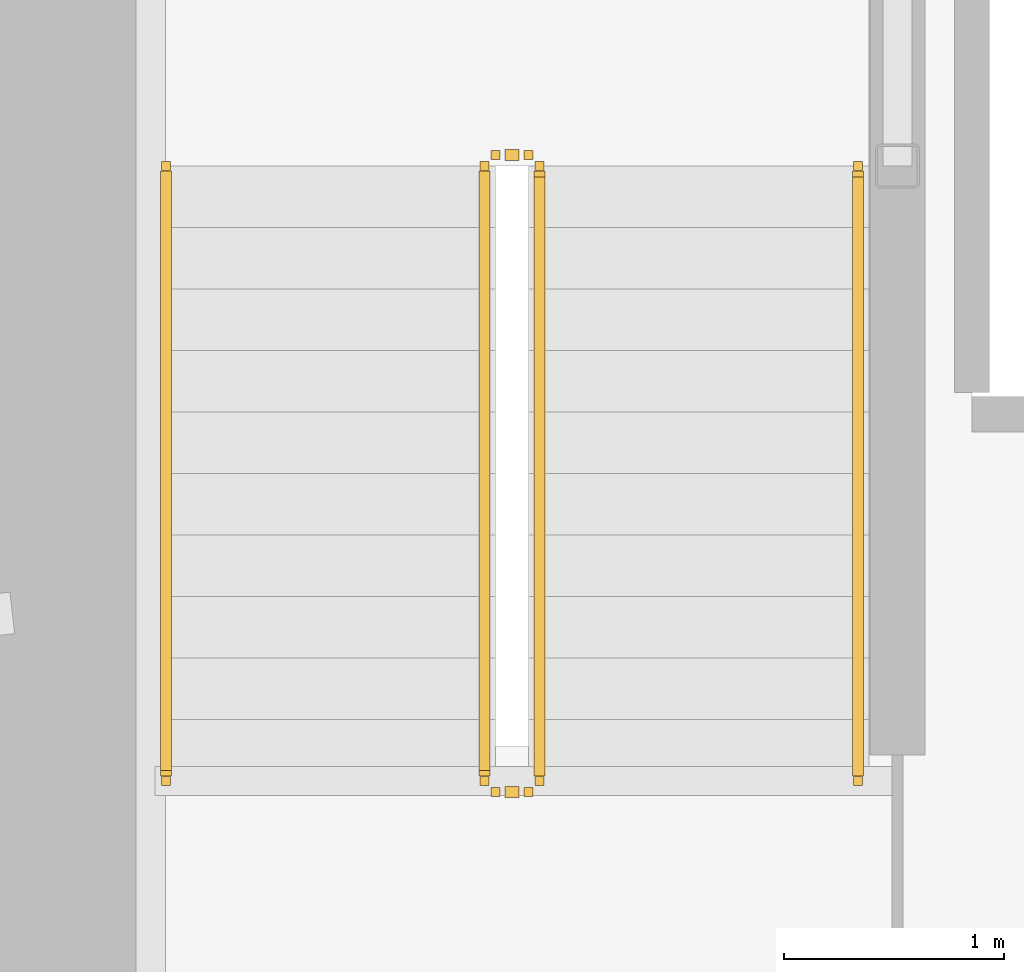
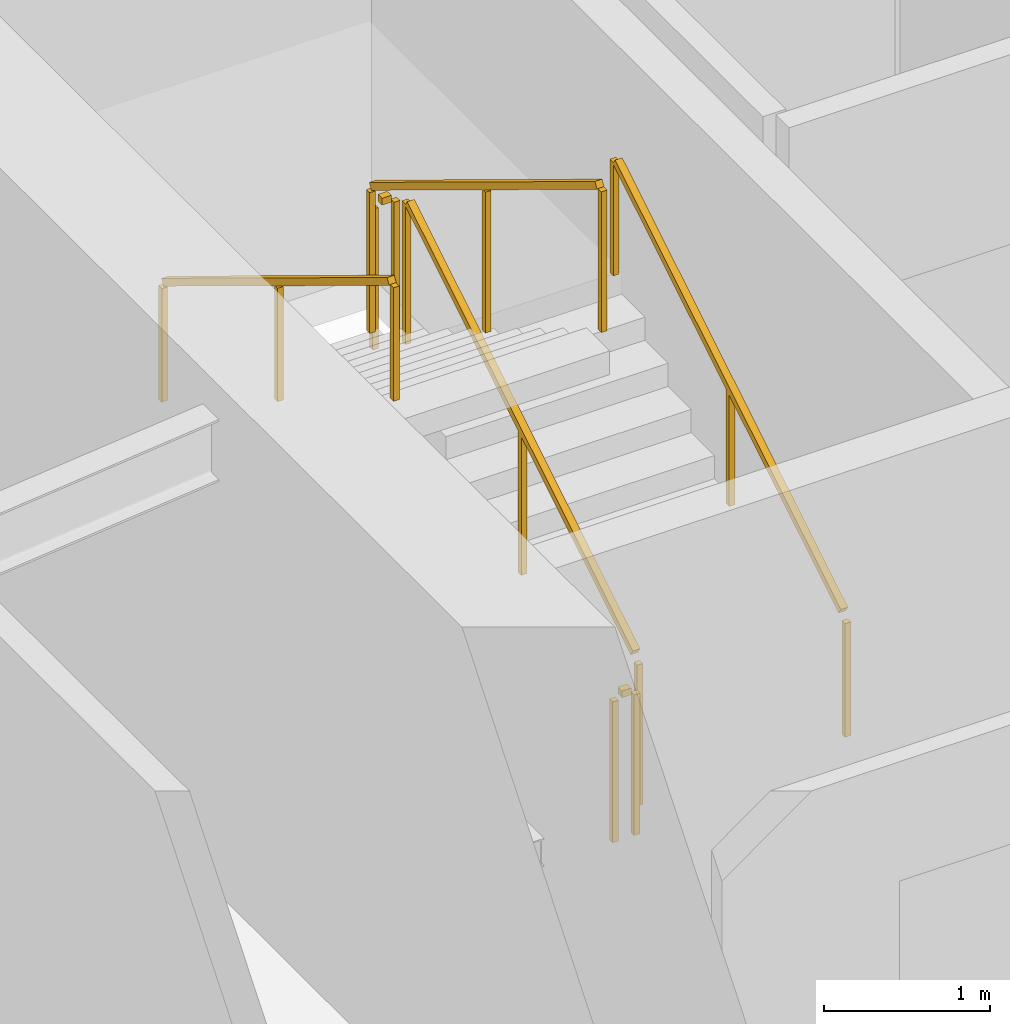
# One storey, part 17 of 20: 6 railings.
"""IFC4 building model written with IfcOpenShell, lengths in metres."""

from ifc_helpers import new_model, si_unit, direction, frame, origin, origin_2d, place, context, subcontext, project, spatial, rectangle, extrude, material, type_object, element, save


model = new_model("IFC4")

# Units and contexts
model_context = context("Model", 3, precision=1e-05, world=origin(), true_north=direction((0.0, 1.0)))
body_context = subcontext(model_context, "Body", "Model", "MODEL_VIEW")
ifc_project = project(units=[si_unit("LENGTHUNIT", "METRE"), si_unit("AREAUNIT", "SQUARE_METRE"), si_unit("VOLUMEUNIT", "CUBIC_METRE"), si_unit("PLANEANGLEUNIT", "RADIAN"), si_unit("MASSUNIT", "GRAM", prefix="KILO")], contexts=[model_context])

# Site, building, storey
site_placement = place(None, origin())
site = spatial("IfcSite", under=ifc_project, at=site_placement, CompositionType="ELEMENT")
building_placement = place(site_placement, origin())
building = spatial("IfcBuilding", under=site, at=building_placement, Name="Kazma Halo Residences", CompositionType="ELEMENT")
storey_placement = place(building_placement, frame((0.0, 0.0, 150.300048828125)))
storey = spatial("IfcBuildingStorey", under=building, at=storey_placement, Name="L37", CompositionType="ELEMENT", Elevation=150.300048828125)

# Railings
ifc_material_1 = material(Name="Painted Steel S355", Category="steel")
railing_type_1 = type_object("IfcRailingType", Name="RLG-STAIR-GRD-1100", PredefinedType="GUARDRAIL", material=ifc_material_1)
railing_1_placement = place(storey_placement, frame((39.550048828125, 39.949951171875, 0.17041015625)))
element("IfcRailing", 1, at=railing_1_placement, inside=storey, type_object=railing_type_1, Name="L37 ST-01 stair guard 1", PredefinedType="GUARDRAIL", context=body_context, shape_type="SweptSolid", body=[
    extrude(rectangle(XDim=0.050048828125, YDim=0.050048828125, at=origin_2d()), frame((0.0, 0.036376953125, 1.09716796875), z_axis=(0.0, 0.854169791009, 0.51999420009), x_axis=(-1.0, 0.0, 0.0)), (0.0, 0.0, 1.0), 3.193115234375),
    extrude(rectangle(XDim=0.0400390625, YDim=0.0400390625, at=origin_2d()), origin(), (0.0, 0.0, 1.0), 1.0380859375),
    extrude(rectangle(XDim=0.0400390625, YDim=0.0400390625, at=origin_2d()), frame((0.0, 1.39990234375, 0.852294921875)), (0.0, 0.0, 1.0), 1.0380859375),
    extrude(rectangle(XDim=0.0400390625, YDim=0.0400390625, at=origin_2d()), frame((0.0, 2.800048828125, 1.70458984375)), (0.0, 0.0, 1.0), 1.0380859375),
])
railing_2_placement = place(storey_placement, frame((39.5, 42.800048828125, 1.875)))
element("IfcRailing", 2, at=railing_2_placement, inside=storey, type_object=railing_type_1, Name="L37 ST-01 stair guard 2", PredefinedType="GUARDRAIL", context=body_context, shape_type="SweptSolid", body=[
    extrude(rectangle(XDim=0.050048828125, YDim=0.050048828125, at=origin_2d()), frame((-0.04248046875, 0.0, 1.0751953125), z_axis=(-1.0, 0.0, 0.0), x_axis=(0.0, -1.0, 0.0)), (0.0, 0.0, 1.0), 0.06494140625),
    extrude(rectangle(XDim=0.0400390625, YDim=0.0400390625, at=origin_2d()), origin(), (0.0, 0.0, 1.0), 1.0380859375),
    extrude(rectangle(XDim=0.0400390625, YDim=0.0400390625, at=origin_2d()), frame((-0.14990234375, 0.0, 0.0)), (0.0, 0.0, 1.0), 1.0380859375),
])
railing_3_placement = place(storey_placement, frame((39.300048828125, 42.75, 2.04541015625)))
element("IfcRailing", 3, at=railing_3_placement, inside=storey, type_object=railing_type_1, Name="L37 ST-01 stair guard 3", PredefinedType="GUARDRAIL", context=body_context, shape_type="SweptSolid", body=[
    extrude(rectangle(XDim=0.050048828125, YDim=0.050048828125, at=origin_2d()), frame((0.0, -0.036376953125, 1.09716796875), z_axis=(0.0, -0.854169791009, 0.51999420009), x_axis=(1.0, 0.0, 0.0)), (0.0, 0.0, 1.0), 3.193115234375),
    extrude(rectangle(XDim=0.0400390625, YDim=0.0400390625, at=origin_2d()), origin(), (0.0, 0.0, 1.0), 1.0380859375),
    extrude(rectangle(XDim=0.0400390625, YDim=0.0400390625, at=origin_2d()), frame((0.0, -1.39990234375, 0.852294921875)), (0.0, 0.0, 1.0), 1.0380859375),
    extrude(rectangle(XDim=0.0400390625, YDim=0.0400390625, at=origin_2d()), frame((0.0, -2.800048828125, 1.70458984375)), (0.0, 0.0, 1.0), 1.0380859375),
])
railing_4_placement = place(storey_placement, frame((39.5, 39.89990234375, 0.0)))
element("IfcRailing", 4, at=railing_4_placement, inside=storey, type_object=railing_type_1, Name="L37 ST-01 stair guard 4", PredefinedType="GUARDRAIL", context=body_context, shape_type="SweptSolid", body=[
    extrude(rectangle(XDim=0.050048828125, YDim=0.050048828125, at=origin_2d()), frame((-0.04248046875, 0.0, 1.0751953125), z_axis=(-1.0, 0.0, 0.0), x_axis=(0.0, -1.0, 0.0)), (0.0, 0.0, 1.0), 0.06494140625),
    extrude(rectangle(XDim=0.0400390625, YDim=0.0400390625, at=origin_2d()), origin(), (0.0, 0.0, 1.0), 1.0380859375),
    extrude(rectangle(XDim=0.0400390625, YDim=0.0400390625, at=origin_2d()), frame((-0.14990234375, 0.0, 0.0)), (0.0, 0.0, 1.0), 1.0380859375),
])
ifc_material_2 = material(Name="Brushed Stainless Steel", Category="steel")
railing_type_2 = type_object("IfcRailingType", Name="RLG-STAIR-HND-900", PredefinedType="HANDRAIL", material=ifc_material_2)
railing_5_placement = place(storey_placement, frame((41.0, 39.949951171875, 0.17041015625)))
element("IfcRailing", 5, at=railing_5_placement, inside=storey, type_object=railing_type_2, Name="L37 ST-01 stair handrail 1", PredefinedType="HANDRAIL", context=body_context, shape_type="SweptSolid", body=[
    extrude(rectangle(XDim=0.050048828125, YDim=0.050048828125, at=origin_2d()), frame((0.0, 0.036376953125, 0.89697265625), z_axis=(0.0, 0.854169791009, 0.51999420009), x_axis=(-1.0, 0.0, 0.0)), (0.0, 0.0, 1.0), 3.193115234375),
    extrude(rectangle(XDim=0.0400390625, YDim=0.0400390625, at=origin_2d()), origin(), (0.0, 0.0, 1.0), 0.837890625),
    extrude(rectangle(XDim=0.0400390625, YDim=0.0400390625, at=origin_2d()), frame((0.0, 1.39990234375, 0.852294921875)), (0.0, 0.0, 1.0), 0.837890625),
    extrude(rectangle(XDim=0.0400390625, YDim=0.0400390625, at=origin_2d()), frame((0.0, 2.800048828125, 1.70458984375)), (0.0, 0.0, 1.0), 0.837890625),
])
railing_6_placement = place(storey_placement, frame((37.85009765625, 42.75, 2.04541015625)))
element("IfcRailing", 6, at=railing_6_placement, inside=storey, type_object=railing_type_2, Name="L37 ST-01 stair handrail 2", PredefinedType="HANDRAIL", context=body_context, shape_type="SweptSolid", body=[
    extrude(rectangle(XDim=0.050048828125, YDim=0.050048828125, at=origin_2d()), frame((0.0, -0.036376953125, 0.89697265625), z_axis=(0.0, -0.854169791009, 0.51999420009), x_axis=(1.0, 0.0, 0.0)), (0.0, 0.0, 1.0), 3.193115234375),
    extrude(rectangle(XDim=0.0400390625, YDim=0.0400390625, at=origin_2d()), origin(), (0.0, 0.0, 1.0), 0.837890625),
    extrude(rectangle(XDim=0.0400390625, YDim=0.0400390625, at=origin_2d()), frame((0.0, -1.39990234375, 0.852294921875)), (0.0, 0.0, 1.0), 0.837890625),
    extrude(rectangle(XDim=0.0400390625, YDim=0.0400390625, at=origin_2d()), frame((0.0, -2.800048828125, 1.70458984375)), (0.0, 0.0, 1.0), 0.837890625),
])

save(model, "model.ifc")
